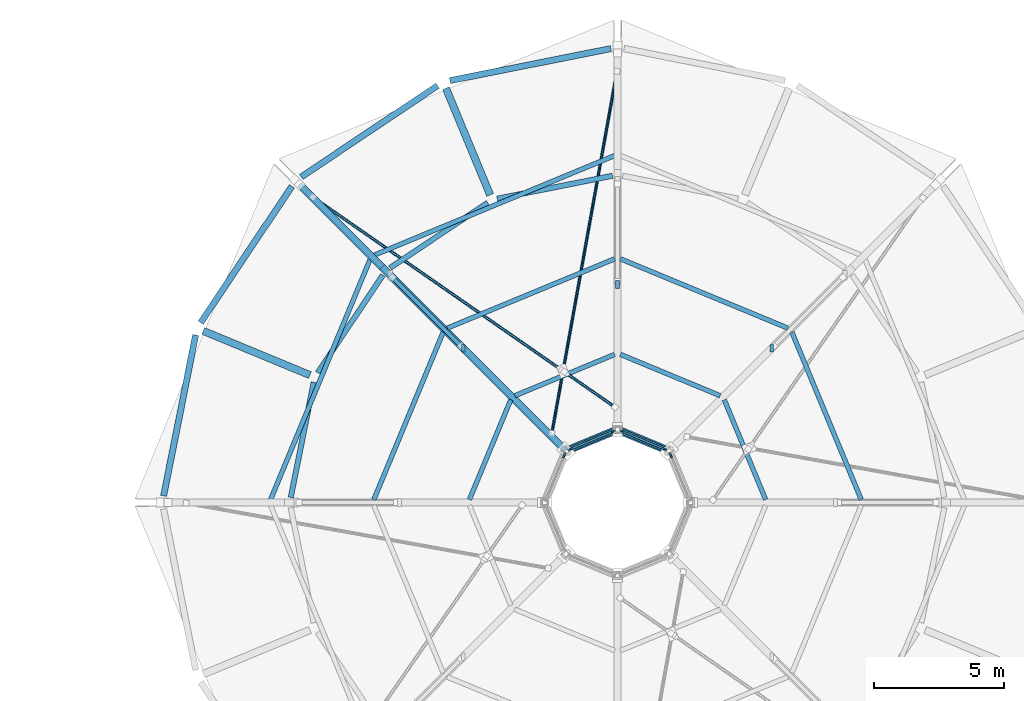
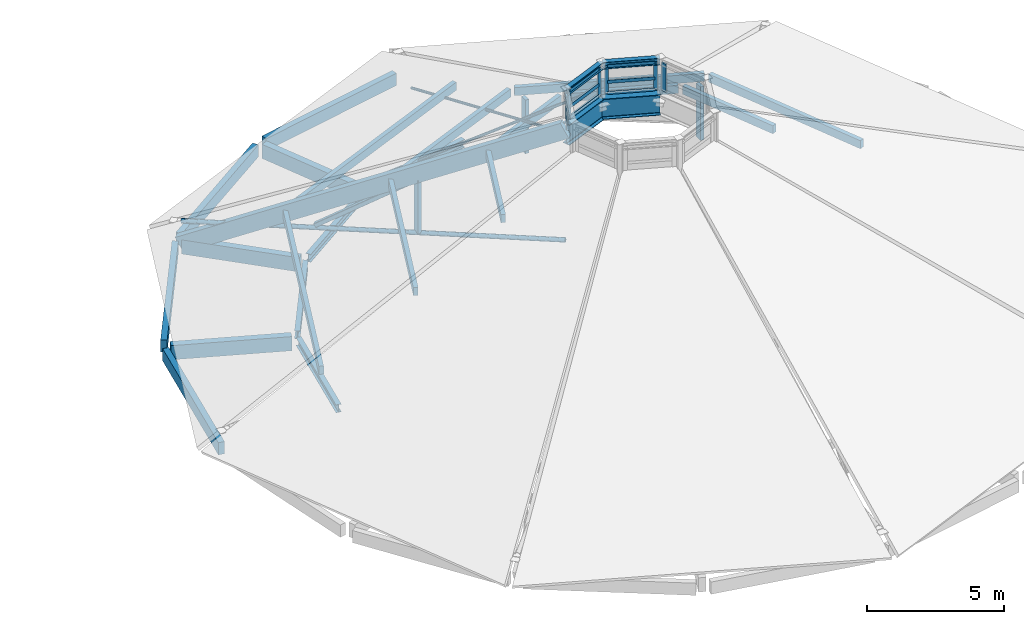
# One storey, part 37 of 66: 31 members, 15 beams, 4 elements without a shape of their own.
"""IFC4 building model written with IfcOpenShell, lengths in metres."""

import ifcopenshell
import ifcopenshell.guid

model = None  # the IFC model being written
_history = None  # IfcOwnerHistory: only IFC2X3 demands one
_inside = {}  # id of a spatial element -> (the spatial element, [elements in it])
_under = {}  # id of a project, library or spatial element -> (it, [spatial elements below it])
_declared = {}  # id of a project -> (the project, [libraries it declares])
_typed = {}  # id of a type object -> (the type object, [elements of that type])
_made_of = {}  # id of a material, layer set ... -> (it, [elements and type objects made of it])


def new_model(schema):
    """Start an empty IFC model of exactly this schema.

    Asked for "IFC4X3", IfcOpenShell would pick the latest addendum, in which some entities
    have other attributes; the version numbers below select the first issue.
    IFC2X3 requires an IfcOwnerHistory on every rooted entity: one is made here for all.
    """
    global model, _history
    if schema == "IFC4X3":
        model = ifcopenshell.file(schema_version=(4, 3, 0, 0))
    else:
        model = ifcopenshell.file(schema=schema)
    _inside.clear()
    _under.clear()
    _declared.clear()
    _typed.clear()
    _made_of.clear()
    _history = None
    if model.schema == "IFC2X3":
        org = make("IfcOrganization", Name="unknown")
        user = make(
            "IfcPersonAndOrganization",
            ThePerson=make("IfcPerson", FamilyName="unknown"),
            TheOrganization=org,
        )
        app = make(
            "IfcApplication",
            ApplicationDeveloper=org,
            Version="unknown",
            ApplicationFullName="unknown",
            ApplicationIdentifier="unknown",
        )
        _history = make(
            "IfcOwnerHistory",
            OwningUser=user,
            OwningApplication=app,
            ChangeAction="ADDED",
            CreationDate=0,
        )
    return model


def make(cls, **values):
    """One entity of the class cls with the attributes given. An attribute that is None is left unset."""
    return model.create_entity(
        cls, **{name: value for name, value in values.items() if value is not None}
    )


def rooted(cls, **values):
    """An entity with a GlobalId (a new one), such as an element, a storey or a relation."""
    return make(cls, GlobalId=ifcopenshell.guid.new(), OwnerHistory=_history, **values)


def si_unit(unit_type, name, prefix=None):
    """IfcSIUnit, for example si_unit("LENGTHUNIT", "METRE", prefix="MILLI")."""
    return make("IfcSIUnit", UnitType=unit_type, Prefix=prefix, Name=name)


def assignment(units):
    """IfcUnitAssignment: the units of a project."""
    return None if units is None else make("IfcUnitAssignment", Units=units)


def point(xyz):
    """IfcCartesianPoint."""
    return None if xyz is None else make("IfcCartesianPoint", Coordinates=xyz)


def direction(xyz):
    """IfcDirection."""
    return None if xyz is None else make("IfcDirection", DirectionRatios=xyz)


def frame(location, z_axis=None, x_axis=None):
    """IfcAxis2Placement3D, a coordinate frame: its origin and axes. An axis left out is left unset."""
    return make(
        "IfcAxis2Placement3D",
        Location=point(location),
        Axis=direction(z_axis),
        RefDirection=direction(x_axis),
    )


def frame_2d(location, x_axis=None):
    """IfcAxis2Placement2D, a coordinate frame in the plane: its origin and x axis."""
    return make(
        "IfcAxis2Placement2D", Location=point(location), RefDirection=direction(x_axis)
    )


def origin():
    """The frame at (0, 0, 0) with its axes left unset."""
    return frame((0.0, 0.0, 0.0))


def origin_2d():
    """The frame at (0, 0) in the plane with its x axis left unset."""
    return frame_2d((0.0, 0.0))


def place(relative_to, where):
    """IfcLocalPlacement: puts the frame where relative to a parent placement (None: the world)."""
    return make(
        "IfcLocalPlacement", PlacementRelTo=relative_to, RelativePlacement=where
    )


def context(
    kind, dimensions, precision=None, world=None, true_north=None, identifier=None
):
    """IfcGeometricRepresentationContext, for example the 3D "Model" context."""
    return make(
        "IfcGeometricRepresentationContext",
        ContextIdentifier=identifier,
        ContextType=kind,
        CoordinateSpaceDimension=dimensions,
        Precision=precision,
        WorldCoordinateSystem=world,
        TrueNorth=true_north,
    )


def subcontext(parent, identifier, kind, view, scale=None):
    """IfcGeometricRepresentationSubContext, for example "Body" below "Model"."""
    return make(
        "IfcGeometricRepresentationSubContext",
        ContextIdentifier=identifier,
        ContextType=kind,
        ParentContext=parent,
        TargetScale=scale,
        TargetView=view,
    )


def project(units=None, contexts=None):
    """IfcProject with its units and contexts."""
    return rooted(
        "IfcProject",
        Name="project",
        RepresentationContexts=contexts,
        UnitsInContext=assignment(units),
    )


def spatial(cls, under=None, at=None, **own):
    """A site, building, storey or space (cls), placed at a placement, below another one or the project."""
    s = rooted(cls, ObjectPlacement=at, **own)
    if under is not None:
        _under.setdefault(under.id(), (under, []))[1].append(s)
    return s


def profile(cls, at=None, kind="AREA", **sizes):
    """A parametric profile (cls). Its sizes go by their IFC names, for example OverallWidth=200.0."""
    return make(cls, ProfileType=kind, Position=at, **sizes)


def rectangle(**sizes):
    """IfcRectangleProfileDef."""
    return profile("IfcRectangleProfileDef", **sizes)


def hollow_rectangle(**sizes):
    """IfcRectangleHollowProfileDef."""
    return profile("IfcRectangleHollowProfileDef", **sizes)


def hollow_circle(**sizes):
    """IfcCircleHollowProfileDef."""
    return profile("IfcCircleHollowProfileDef", **sizes)


def i_section(**sizes):
    """IfcIShapeProfileDef."""
    return profile("IfcIShapeProfileDef", **sizes)


def extrude(swept, where, along, depth):
    """IfcExtrudedAreaSolid: the profile swept, set in the frame where, extruded along a direction by depth."""
    return make(
        "IfcExtrudedAreaSolid",
        SweptArea=swept,
        Position=where,
        ExtrudedDirection=direction(along),
        Depth=depth,
    )


def shape(context_of_items, identifier, shape_type, items):
    """IfcShapeRepresentation: the items that make up one representation, for example the "Body"."""
    return make(
        "IfcShapeRepresentation",
        ContextOfItems=context_of_items,
        RepresentationIdentifier=identifier,
        RepresentationType=shape_type,
        Items=items,
    )


def material(Name=None, Category=None):
    """IfcMaterial."""
    return make("IfcMaterial", Name=Name, Category=Category)


def layer(
    of_material, thickness, ventilated=None, Name=None, Category=None, Priority=None
):
    """IfcMaterialLayer: one layer of a wall or slab, of a material (None: an air gap)."""
    return make(
        "IfcMaterialLayer",
        Material=of_material,
        LayerThickness=thickness,
        IsVentilated=ventilated,
        Name=Name,
        Category=Category,
        Priority=Priority,
    )


def layer_set(layers, Name=None):
    """IfcMaterialLayerSet."""
    return make("IfcMaterialLayerSet", MaterialLayers=layers, LayerSetName=Name)


def material_profile(
    of_material, cross_section, Name=None, Category=None, Priority=None
):
    """IfcMaterialProfile: a cross section and its material."""
    return make(
        "IfcMaterialProfile",
        Name=Name,
        Material=of_material,
        Profile=cross_section,
        Priority=Priority,
        Category=Category,
    )


def profile_set(profiles, Name=None, composite=None):
    """IfcMaterialProfileSet."""
    return make(
        "IfcMaterialProfileSet",
        Name=Name,
        MaterialProfiles=profiles,
        CompositeProfile=composite,
    )


def made_of(thing, what):
    """Note that an element or type object is made of a material, layer set ...; save() writes the relation."""
    if what is not None:
        _made_of.setdefault(what.id(), (what, []))[1].append(thing)
    return thing


def type_object(cls, material=None, **own):
    """A type object (cls), such as IfcWallType, which elements share."""
    return made_of(rooted(cls, **own), material)


def element(
    cls,
    number,
    at=None,
    inside=None,
    cuts=None,
    type_object=None,
    material=None,
    context=None,
    identifier="Body",
    shape_type=None,
    held_by="IfcProductDefinitionShape",
    body=None,
    shapes=None,
    **own,
):
    """One element of the class cls, such as IfcWall. Its Tag is "e" and its number.

    at: its placement. inside: the storey or other place that contains it. cuts: it is an
    opening in that element (IfcRelVoidsElement). A single representation is given by context,
    identifier, shape_type and body (its items); several are given by shapes. held_by: the class
    of the entity that holds the representations. save() writes the other relations.
    """
    e = rooted(cls, Tag="e%d" % number, ObjectPlacement=at, **own)
    if body is not None:
        shapes = [shape(context, identifier, shape_type, body)]
    if shapes is not None:
        e.Representation = make(held_by, Representations=shapes)
    if inside is not None:
        _inside.setdefault(inside.id(), (inside, []))[1].append(e)
    if cuts is not None:
        rooted(
            "IfcRelVoidsElement", RelatingBuildingElement=cuts, RelatedOpeningElement=e
        )
    if type_object is not None:
        _typed.setdefault(type_object.id(), (type_object, []))[1].append(e)
    return made_of(e, material)


def aggregate(whole, parts):
    """IfcRelAggregates: a whole, such as a stair, and the parts it consists of."""
    return rooted("IfcRelAggregates", RelatingObject=whole, RelatedObjects=parts)


def save(model, path):
    """Write the relations noted so far, then the file.

    IfcRelAggregates (storeys below a building ...), IfcRelContainedInSpatialStructure (elements
    in a storey), IfcRelDefinesByType, IfcRelAssociatesMaterial and IfcRelDeclares: one each for
    every whole, place, type object, material and project.
    """
    for whole, parts in _under.values():
        aggregate(whole, parts)
    for where, things in _inside.values():
        rooted(
            "IfcRelContainedInSpatialStructure",
            RelatedElements=things,
            RelatingStructure=where,
        )
    for kind, things in _typed.values():
        rooted("IfcRelDefinesByType", RelatedObjects=things, RelatingType=kind)
    for what, things in _made_of.values():
        rooted("IfcRelAssociatesMaterial", RelatedObjects=things, RelatingMaterial=what)
    for by, libraries in _declared.values():
        rooted("IfcRelDeclares", RelatingContext=by, RelatedDefinitions=libraries)
    model.write(path)


model = new_model("IFC4")

# Units and contexts
model_context = context("Model", 3, precision=1e-05, world=origin(), true_north=direction((0.0, 1.0)))
body_context = subcontext(model_context, "Body", "Model", "MODEL_VIEW")
ifc_project = project(units=[si_unit("LENGTHUNIT", "METRE"), si_unit("AREAUNIT", "SQUARE_METRE"), si_unit("VOLUMEUNIT", "CUBIC_METRE"), si_unit("PLANEANGLEUNIT", "RADIAN"), si_unit("MASSUNIT", "GRAM", prefix="KILO")], contexts=[model_context])

# Site, building, storey
site_placement = place(None, origin())
site = spatial("IfcSite", under=ifc_project, at=site_placement, CompositionType="ELEMENT")
building_placement = place(site_placement, origin())
building = spatial("IfcBuilding", under=site, at=building_placement, Name="Caldaven Crescent School", CompositionType="ELEMENT")
storey_placement = place(building_placement, frame((0.0, 0.0, 8.159912109375)))
storey = spatial("IfcBuildingStorey", under=building, at=storey_placement, Name="L02", CompositionType="ELEMENT", Elevation=8.159912109375)

# Beams
ifc_material_1 = material(Name="Glulam MLE24h (GL28h)", Category="wood")
ifc_material_profile_1 = material_profile(ifc_material_1, rectangle(XDim=0.280029296875, YDim=0.6298828125, at=origin_2d()), Name="MLE 280x630")
ifc_profile_set_1 = profile_set([ifc_material_profile_1], Name="Glulam MLE24h (GL28h)")
beam_type_1 = type_object("IfcBeamType", Name="BM-GL63", PredefinedType="BEAM", material=ifc_profile_set_1)
beam_1_placement = place(storey_placement, frame((147.6015625, 110.32568359375, -0.534912109375), z_axis=(-0.382654507719, 0.923891512961, 0.0), x_axis=(-0.923891512961, -0.382654507719, 0.0)))
element("IfcBeam", 1, at=beam_1_placement, inside=storey, type_object=beam_type_1, Name="BM-V1-L02-0158", PredefinedType="BEAM", context=body_context, shape_type="SweptSolid", body=[
    extrude(rectangle(XDim=0.280029296875, YDim=0.6298828125, at=origin_2d()), origin(), (0.0, 0.0, 1.0), 4.43994140625),
])
beam_2_placement = place(storey_placement, frame((143.448974609375, 107.551025390625, -0.534912109375), z_axis=(-0.707106781187, 0.707106781187, 0.0), x_axis=(-0.707106781187, -0.707106781187, 0.0)))
element("IfcBeam", 2, at=beam_2_placement, inside=storey, type_object=beam_type_1, Name="BM-V1-L02-0161", PredefinedType="BEAM", context=body_context, shape_type="SweptSolid", body=[
    extrude(rectangle(XDim=0.280029296875, YDim=0.6298828125, at=origin_2d()), origin(), (0.0, 0.0, 1.0), 4.439697265625),
])
beam_3_placement = place(storey_placement, frame((140.67431640625, 103.3984375, -0.534912109375), z_axis=(-0.923891512961, 0.382654507719, 0.0), x_axis=(-0.382654507719, -0.923891512961, 0.0)))
element("IfcBeam", 3, at=beam_3_placement, inside=storey, type_object=beam_type_1, Name="BM-V1-L02-0164", PredefinedType="BEAM", context=body_context, shape_type="SweptSolid", body=[
    extrude(rectangle(XDim=0.280029296875, YDim=0.6298828125, at=origin_2d()), origin(), (0.0, 0.0, 1.0), 4.43994140625),
])
ifc_material_2 = material(Name="Steel ASTM A572 Grade 50", Category="steel")
ifc_material_profile_2 = material_profile(ifc_material_2, i_section(OverallWidth=0.202880859375, OverallDepth=0.302978515625, WebThickness=0.007568359375, FlangeThickness=0.01318359375, FilletRadius=0.012939453125, at=origin_2d()), Name="W310x60")
ifc_profile_set_2 = profile_set([ifc_material_profile_2], Name="Steel ASTM A572 Grade 50")
beam_type_2 = type_object("IfcBeamType", Name="BM-W31", PredefinedType="BEAM", material=ifc_profile_set_2)
for number, where, z_axis, x_axis, name in (
    (4, (154.46142578125, 100.487548828125, 8.898681640625), (-0.923892319077, 0.382652561407, 0.0), (-0.382652561407, -0.923892319077, 0.0), "LRNG-V1-L02-0194"),
    (5, (152.4814453125, 101.292236328125, 8.898681640625), (-0.923892319077, -0.382652561407, 0.0), (0.382652561407, -0.923892319077, 0.0), "LRNG-V1-L02-0196"),
):
    element("IfcBeam", number, at=place(storey_placement, frame(where, z_axis=z_axis, x_axis=x_axis)), inside=storey, type_object=beam_type_2, Name=name, PredefinedType="BEAM", context=body_context, shape_type="SweptSolid", body=[
        extrude(i_section(OverallWidth=0.202880859375, OverallDepth=0.302978515625, WebThickness=0.007568359375, FlangeThickness=0.01318359375, FilletRadius=0.012939453125, at=origin_2d()), origin(), (0.0, 0.0, 1.0), 2.10302734375),
    ])
ifc_material_profile_3 = material_profile(ifc_material_2, i_section(OverallWidth=0.205078125, OverallDepth=0.35400390625, WebThickness=0.009521484375, FlangeThickness=0.016845703125, FilletRadius=0.014892578125, at=origin_2d()), Name="W360x79")
ifc_profile_set_3 = profile_set([ifc_material_profile_3], Name="Steel ASTM A572 Grade 50")
beam_type_3 = type_object("IfcBeamType", Name="BM-W36", PredefinedType="BEAM", material=ifc_profile_set_3)
beam_4_placement = place(storey_placement, frame((152.303955078125, 111.06103515625, -0.39697265625), z_axis=(-0.980785962977, -0.195086890453, 0.0), x_axis=(0.195086890453, -0.980785962977, 0.0)))
element("IfcBeam", 6, at=beam_4_placement, inside=storey, type_object=beam_type_3, Name="BM-V1-L02-0156", PredefinedType="BEAM", context=body_context, shape_type="SweptSolid", body=[
    extrude(i_section(OverallWidth=0.205078125, OverallDepth=0.35400390625, WebThickness=0.009521484375, FlangeThickness=0.016845703125, FilletRadius=0.014892578125, at=origin_2d()), origin(), (0.0, 0.0, 1.0), 4.516357421875),
])
for number, where, z_axis, x_axis, name in (
    (7, (147.511962890625, 110.02978515625, -0.39697265625), (-0.831475995794, -0.55556067933, 0.0), (0.55556067933, -0.831475995794, 0.0), "BM-V1-L02-0159"),
    (8, (143.479248046875, 107.2431640625, -0.39697265625), (-0.55556067933, -0.831475995794, 0.0), (0.831475995794, -0.55556067933, 0.0), "BM-V1-L02-0162"),
):
    element("IfcBeam", number, at=place(storey_placement, frame(where, z_axis=z_axis, x_axis=x_axis)), inside=storey, type_object=beam_type_3, Name=name, PredefinedType="BEAM", context=body_context, shape_type="SweptSolid", body=[
        extrude(i_section(OverallWidth=0.205078125, OverallDepth=0.35400390625, WebThickness=0.009521484375, FlangeThickness=0.016845703125, FilletRadius=0.014892578125, at=origin_2d()), origin(), (0.0, 0.0, 1.0), 4.51611328125),
    ])
beam_5_placement = place(storey_placement, frame((140.820068359375, 103.125732421875, -0.39697265625), z_axis=(-0.195086890453, -0.980785962977, 0.0), x_axis=(0.980785962977, -0.195086890453, 0.0)))
element("IfcBeam", 9, at=beam_5_placement, inside=storey, type_object=beam_type_3, Name="BM-V1-L02-0165", PredefinedType="BEAM", context=body_context, shape_type="SweptSolid", body=[
    extrude(i_section(OverallWidth=0.205078125, OverallDepth=0.35400390625, WebThickness=0.009521484375, FlangeThickness=0.016845703125, FilletRadius=0.014892578125, at=origin_2d()), origin(), (0.0, 0.0, 1.0), 4.516357421875),
])
ifc_material_profile_4 = material_profile(ifc_material_2, i_section(OverallWidth=0.303955078125, OverallDepth=0.910888671875, WebThickness=0.015869140625, FlangeThickness=0.02392578125, FilletRadius=0.02197265625, at=origin_2d()), Name="W920x223")
ifc_profile_set_4 = profile_set([ifc_material_profile_4], Name="Steel ASTM A572 Grade 50")
beam_type_4 = type_object("IfcBeamType", Name="BM-W92", PredefinedType="BEAM", material=ifc_profile_set_4)
for number, where, z_axis, x_axis, name in (
    (10, (154.470703125, 100.483642578125, 7.004638671875), (-0.923871065891, 0.382703871955, 0.0), (-0.382703871955, -0.923871065891, 0.0), "RING-V1-L02-0193"),
    (11, (152.49072265625, 101.296142578125, 7.004638671875), (-0.923871065891, -0.382703871955, 0.0), (0.382703871955, -0.923871065891, 0.0), "RING-V1-L02-0195"),
):
    element("IfcBeam", number, at=place(storey_placement, frame(where, z_axis=z_axis, x_axis=x_axis)), inside=storey, type_object=beam_type_4, Name=name, PredefinedType="BEAM", context=body_context, shape_type="SweptSolid", body=[
        extrude(i_section(OverallWidth=0.303955078125, OverallDepth=0.910888671875, WebThickness=0.015869140625, FlangeThickness=0.02392578125, FilletRadius=0.02197265625, at=origin_2d()), origin(), (0.0, 0.0, 1.0), 2.123046875),
    ])

# Members
ifc_material_profile_5 = material_profile(ifc_material_2, hollow_circle(Radius=0.05712890625, WallThickness=0.008056640625, at=origin_2d()), Name="CHS 114.3x8.0")
ifc_profile_set_5 = profile_set([ifc_material_profile_5], Name="Steel ASTM A572 Grade 50")
member_type_1 = type_object("IfcMemberType", Name="BR-CH11", PredefinedType="BRACE", material=ifc_profile_set_5)
member_1_placement = place(storey_placement, frame((152.478271484375, 115.07861328125, -0.49365234375), z_axis=(-0.155865769195, -0.866661130006, 0.47392441141), x_axis=(0.984209693291, -0.177006439522, 0.0)))
element("IfcMember", 12, at=member_1_placement, inside=storey, type_object=member_type_1, Name="RBR-V1-02-X1", PredefinedType="BRACE", context=body_context, shape_type="SweptSolid", body=[
    extrude(hollow_circle(Radius=0.05712890625, WallThickness=0.008056640625, at=origin_2d()), origin(), (0.0, 0.0, 1.0), 16.052001953125),
])
member_2_placement = place(storey_placement, frame((140.79248046875, 110.23828125, -0.49365234375), z_axis=(0.723041750878, -0.502608493528, 0.473914896075), x_axis=(0.570775886066, 0.821105893223, 0.0)))
element("IfcMember", 13, at=member_2_placement, inside=storey, type_object=member_type_1, Name="RBR-V1-02-X2A", PredefinedType="BRACE", context=body_context, shape_type="SweptSolid", body=[
    extrude(hollow_circle(Radius=0.05712890625, WallThickness=0.008056640625, at=origin_2d()), origin(), (0.0, 0.0, 1.0), 13.230712890625),
])
member_3_placement = place(storey_placement, frame((150.452880859375, 103.52294921875, 5.83837890625), z_axis=(0.723045120954, -0.50259347178, 0.473925685303), x_axis=(0.570762590739, 0.821115135053, 0.0)))
element("IfcMember", 14, at=member_3_placement, inside=storey, type_object=member_type_1, Name="RBR-V1-02-X2B", PredefinedType="BRACE", context=body_context, shape_type="SweptSolid", body=[
    extrude(hollow_circle(Radius=0.05712890625, WallThickness=0.008056640625, at=origin_2d()), origin(), (0.0, 0.0, 1.0), 2.691162109375),
])
ifc_material_profile_6 = material_profile(ifc_material_2, hollow_circle(Radius=0.096923828125, WallThickness=0.012451171875, at=origin_2d()), Name="CHS 193.7x12.5")
ifc_profile_set_6 = profile_set([ifc_material_profile_6], Name="Steel ASTM A572 Grade 50")
member_type_2 = type_object("IfcMemberType", Name="BR-CH19", PredefinedType="BRACE", material=ifc_profile_set_6)
member_4_placement = place(storey_placement, frame((140.280029296875, 110.719970703125, 0.52685546875), z_axis=(0.70186507673, -0.70186507673, 0.121535295839), x_axis=(0.707106781187, 0.707106781187, 0.0)))
element("IfcMember", 15, at=member_4_placement, inside=storey, type_object=member_type_2, Name="TT-V1-03", PredefinedType="BRACE", context=body_context, shape_type="SweptSolid", body=[
    extrude(hollow_circle(Radius=0.096923828125, WallThickness=0.012451171875, at=origin_2d()), origin(), (0.0, 0.0, 1.0), 14.56982421875),
])
ifc_material_profile_7 = material_profile(ifc_material_1, rectangle(XDim=0.280029296875, YDim=0.68994140625, at=origin_2d()), Name="MLE 280x690")
ifc_profile_set_7 = profile_set([ifc_material_profile_7], Name="Glulam MLE24h (GL28h)")
member_type_3 = type_object("IfcMemberType", Name="CH-GL69", PredefinedType="CHORD", material=ifc_profile_set_7)
member_5_placement = place(storey_placement, frame((140.25048828125, 110.74951171875, -0.466064453125), z_axis=(0.624624322492, -0.624624322492, 0.468709837215), x_axis=(0.707106781187, 0.707106781187, 0.0)))
element("IfcMember", 16, at=member_5_placement, inside=storey, type_object=member_type_3, Name="TC-V1-03", PredefinedType="CHORD", context=body_context, shape_type="SweptSolid", body=[
    extrude(rectangle(XDim=0.280029296875, YDim=0.68994140625, at=origin_2d()), origin(), (0.0, 0.0, 1.0), 16.421142578125),
])

# Curtain wall, members
ifc_material_3 = material(Name="Anodised aluminium AA 6063-T6 and low-E double glazing", Category="aluminium")
ifc_layer_1 = layer(ifc_material_3, 0.22998046875)
ifc_layer_set_1 = layer_set([ifc_layer_1], Name="Anodised aluminium AA 6063-T6 and low-E double glazing")
curtain_wall_type_1 = type_object("IfcCurtainWallType", Name="CW-SYS4", PredefinedType="NOTDEFINED", material=ifc_layer_set_1)
curtain_wall_1_placement = place(storey_placement, origin())
curtain_wall_1 = element("IfcCurtainWall", 17, at=curtain_wall_1_placement, inside=storey, type_object=curtain_wall_type_1, Name="CW-L02-034", PredefinedType="NOTDEFINED")
ifc_material_4 = material(Name="Anodised aluminium AA 6063-T6", Category="aluminium")
ifc_material_profile_8 = material_profile(ifc_material_4, rectangle(XDim=0.06005859375, YDim=0.14990234375, at=origin_2d()), Name="CWM 60x150")
ifc_profile_set_8 = profile_set([ifc_material_profile_8], Name="Anodised aluminium AA 6063-T6")
member_type_4 = type_object("IfcMemberType", Name="CWM-T1", PredefinedType="MULLION", material=ifc_profile_set_8)
member_6_placement = place(storey_placement, frame((154.32275390625, 100.544921875, 7.60009765625), z_axis=(0.0, 0.0, 1.0), x_axis=(-0.382682210093, -0.923880038792, 0.0)))
member_6 = element("IfcMember", 18, at=member_6_placement, type_object=member_type_4, Name="CW4 mullion 1", PredefinedType="MULLION", context=body_context, shape_type="SweptSolid", body=[
    extrude(rectangle(XDim=0.06005859375, YDim=0.14990234375, at=origin_2d()), origin(), (0.0, 0.0, 1.0), 1.25),
])
member_7_placement = place(storey_placement, frame((152.656982421875, 101.23486328125, 7.60009765625), z_axis=(0.0, 0.0, 1.0), x_axis=(-0.382682210093, -0.923880038792, 0.0)))
member_7 = element("IfcMember", 19, at=member_7_placement, type_object=member_type_4, Name="CW4 mullion 2", PredefinedType="MULLION", context=body_context, shape_type="SweptSolid", body=[
    extrude(rectangle(XDim=0.06005859375, YDim=0.14990234375, at=origin_2d()), origin(), (0.0, 0.0, 1.0), 1.25),
])

ifc_layer_2 = layer(ifc_material_3, 0.169921875)
ifc_layer_set_2 = layer_set([ifc_layer_2], Name="Anodised aluminium AA 6063-T6 and low-E double glazing")
curtain_wall_type_2 = type_object("IfcCurtainWallType", Name="CW-SYS1", PredefinedType="NOTDEFINED", material=ifc_layer_set_2)
curtain_wall_2_placement = place(storey_placement, origin())
curtain_wall_2 = element("IfcCurtainWall", 20, at=curtain_wall_2_placement, inside=storey, type_object=curtain_wall_type_2, Name="CW-L02-035", PredefinedType="NOTDEFINED")
ifc_material_profile_9 = material_profile(ifc_material_4, rectangle(XDim=0.06494140625, YDim=0.179931640625, at=origin_2d()), Name="CWM 65x180")
ifc_profile_set_9 = profile_set([ifc_material_profile_9], Name="Anodised aluminium AA 6063-T6")
member_type_5 = type_object("IfcMemberType", Name="CWM-T2", PredefinedType="MULLION", material=ifc_profile_set_9)
member_8_placement = place(storey_placement, frame((152.340576171875, 101.23388671875, 7.60009765625), z_axis=(0.0, 0.0, 1.0), x_axis=(0.382682210093, -0.923880038792, 0.0)))
member_8 = element("IfcMember", 21, at=member_8_placement, type_object=member_type_5, Name="CW1 mullion 1", PredefinedType="MULLION", context=body_context, shape_type="SweptSolid", body=[
    extrude(rectangle(XDim=0.06494140625, YDim=0.179931640625, at=origin_2d()), origin(), (0.0, 0.0, 1.0), 1.25),
])
member_9_placement = place(storey_placement, frame((150.679443359375, 100.5458984375, 7.60009765625), z_axis=(0.0, 0.0, 1.0), x_axis=(0.382682210093, -0.923880038792, 0.0)))
member_9 = element("IfcMember", 22, at=member_9_placement, type_object=member_type_5, Name="CW1 mullion 2", PredefinedType="MULLION", context=body_context, shape_type="SweptSolid", body=[
    extrude(rectangle(XDim=0.06494140625, YDim=0.179931640625, at=origin_2d()), origin(), (0.0, 0.0, 1.0), 1.25),
])

# Curtain wall, member
ifc_layer_3 = layer(ifc_material_3, 0.2099609375)
ifc_layer_set_3 = layer_set([ifc_layer_3], Name="Anodised aluminium AA 6063-T6 and low-E double glazing")
curtain_wall_type_3 = type_object("IfcCurtainWallType", Name="CW-SYS3", PredefinedType="NOTDEFINED", material=ifc_layer_set_3)
curtain_wall_3_placement = place(storey_placement, origin())
curtain_wall_3 = element("IfcCurtainWall", 23, at=curtain_wall_3_placement, inside=storey, type_object=curtain_wall_type_3, Name="CW-L02-033", PredefinedType="NOTDEFINED")
ifc_material_profile_10 = material_profile(ifc_material_4, rectangle(XDim=0.070068359375, YDim=0.2099609375, at=origin_2d()), Name="CWM 70x210")
ifc_profile_set_10 = profile_set([ifc_material_profile_10], Name="Anodised aluminium AA 6063-T6")
member_type_6 = type_object("IfcMemberType", Name="CWM-T3", PredefinedType="MULLION", material=ifc_profile_set_10)
member_10_placement = place(storey_placement, frame((154.546875, 100.318115234375, 7.60009765625), z_axis=(0.0, 0.0, 1.0), x_axis=(-0.923880038792, -0.382682210093, 0.0)))
member_10 = element("IfcMember", 24, at=member_10_placement, type_object=member_type_6, Name="CW3 mullion 2", PredefinedType="MULLION", context=body_context, shape_type="SweptSolid", body=[
    extrude(rectangle(XDim=0.070068359375, YDim=0.2099609375, at=origin_2d()), origin(), (0.0, 0.0, 1.0), 1.25),
])
aggregate(curtain_wall_3, [member_10])

ifc_layer_4 = layer(ifc_material_3, 0.18994140625)
ifc_layer_set_4 = layer_set([ifc_layer_4], Name="Anodised aluminium AA 6063-T6 and low-E double glazing")
curtain_wall_type_4 = type_object("IfcCurtainWallType", Name="CW-SYS2", PredefinedType="NOTDEFINED", material=ifc_layer_set_4)
curtain_wall_4_placement = place(storey_placement, origin())
curtain_wall_4 = element("IfcCurtainWall", 25, at=curtain_wall_4_placement, inside=storey, type_object=curtain_wall_type_4, Name="CW-L02-036", PredefinedType="NOTDEFINED")
member_11_placement = place(storey_placement, frame((150.453125, 100.318115234375, 7.60009765625), z_axis=(0.0, 0.0, 1.0), x_axis=(0.923880038792, -0.382682210093, 0.0)))
member_11 = element("IfcMember", 26, at=member_11_placement, type_object=member_type_6, Name="CW2 mullion 1", PredefinedType="MULLION", context=body_context, shape_type="SweptSolid", body=[
    extrude(rectangle(XDim=0.070068359375, YDim=0.2099609375, at=origin_2d()), origin(), (0.0, 0.0, 1.0), 1.25),
])
aggregate(curtain_wall_4, [member_11])

# Member
ifc_material_profile_11 = material_profile(ifc_material_4, rectangle(XDim=0.06494140625, YDim=0.139892578125, at=origin_2d()), Name="CWT 65x140")
ifc_profile_set_11 = profile_set([ifc_material_profile_11], Name="Anodised aluminium AA 6063-T6")
member_type_7 = type_object("IfcMemberType", Name="CWT-T2", PredefinedType="USERDEFINED", material=ifc_profile_set_11)
member_12_placement = place(storey_placement, frame((154.295166015625, 100.556396484375, 7.632568359375), z_axis=(-0.923887092146, 0.382665181283, 0.0), x_axis=(-0.382665181283, -0.923887092146, 0.0)))
member_12 = element("IfcMember", 27, at=member_12_placement, type_object=member_type_7, Name="CW4 transom 1.1", ObjectType="TRANSOM", PredefinedType="USERDEFINED", context=body_context, shape_type="SweptSolid", body=[
    extrude(rectangle(XDim=0.06494140625, YDim=0.139892578125, at=origin_2d()), origin(), (0.0, 0.0, 1.0), 1.742919921875),
])

member_13_placement = place(storey_placement, frame((154.295166015625, 100.556396484375, 8.125), z_axis=(-0.923887092146, 0.382665181283, 0.0), x_axis=(-0.382665181283, -0.923887092146, 0.0)))
member_13 = element("IfcMember", 28, at=member_13_placement, type_object=member_type_7, Name="CW4 transom 1.2", ObjectType="TRANSOM", PredefinedType="USERDEFINED", context=body_context, shape_type="SweptSolid", body=[
    extrude(rectangle(XDim=0.06494140625, YDim=0.139892578125, at=origin_2d()), origin(), (0.0, 0.0, 1.0), 1.742919921875),
])

member_14_placement = place(storey_placement, frame((154.295166015625, 100.556396484375, 8.817626953125), z_axis=(-0.923887092146, 0.382665181283, 0.0), x_axis=(-0.382665181283, -0.923887092146, 0.0)))
member_14 = element("IfcMember", 29, at=member_14_placement, type_object=member_type_7, Name="CW4 transom 1.3", ObjectType="TRANSOM", PredefinedType="USERDEFINED", context=body_context, shape_type="SweptSolid", body=[
    extrude(rectangle(XDim=0.06494140625, YDim=0.139892578125, at=origin_2d()), origin(), (0.0, 0.0, 1.0), 1.742919921875),
])

aggregate(curtain_wall_1, [member_6, member_7, member_12, member_13, member_14])

ifc_material_profile_12 = material_profile(ifc_material_4, rectangle(XDim=0.070068359375, YDim=0.159912109375, at=origin_2d()), Name="CWT 70x160")
ifc_profile_set_12 = profile_set([ifc_material_profile_12], Name="Anodised aluminium AA 6063-T6")
member_type_8 = type_object("IfcMemberType", Name="CWT-T3", PredefinedType="USERDEFINED", material=ifc_profile_set_12)
member_15_placement = place(storey_placement, frame((152.310546875, 101.221435546875, 7.635009765625), z_axis=(-0.923900079523, -0.382633823724, 0.0), x_axis=(0.382633823724, -0.923900079523, 0.0)))
member_15 = element("IfcMember", 30, at=member_15_placement, type_object=member_type_8, Name="CW1 transom 1.1", ObjectType="TRANSOM", PredefinedType="USERDEFINED", context=body_context, shape_type="SweptSolid", body=[
    extrude(rectangle(XDim=0.070068359375, YDim=0.159912109375, at=origin_2d()), origin(), (0.0, 0.0, 1.0), 1.73291015625),
])

member_16_placement = place(storey_placement, frame((152.310546875, 101.221435546875, 8.125), z_axis=(-0.923900079523, -0.382633823724, 0.0), x_axis=(0.382633823724, -0.923900079523, 0.0)))
member_16 = element("IfcMember", 31, at=member_16_placement, type_object=member_type_8, Name="CW1 transom 1.2", ObjectType="TRANSOM", PredefinedType="USERDEFINED", context=body_context, shape_type="SweptSolid", body=[
    extrude(rectangle(XDim=0.070068359375, YDim=0.159912109375, at=origin_2d()), origin(), (0.0, 0.0, 1.0), 1.73291015625),
])

member_17_placement = place(storey_placement, frame((152.310546875, 101.221435546875, 8.815185546875), z_axis=(-0.923900079523, -0.382633823724, 0.0), x_axis=(0.382633823724, -0.923900079523, 0.0)))
member_17 = element("IfcMember", 32, at=member_17_placement, type_object=member_type_8, Name="CW1 transom 1.3", ObjectType="TRANSOM", PredefinedType="USERDEFINED", context=body_context, shape_type="SweptSolid", body=[
    extrude(rectangle(XDim=0.070068359375, YDim=0.159912109375, at=origin_2d()), origin(), (0.0, 0.0, 1.0), 1.73291015625),
])

aggregate(curtain_wall_2, [member_8, member_9, member_15, member_16, member_17])

# Members
ifc_material_profile_13 = material_profile(ifc_material_1, rectangle(XDim=0.179931640625, YDim=0.360107421875, at=origin_2d()), Name="MLE 180x360")
ifc_profile_set_13 = profile_set([ifc_material_profile_13], Name="Glulam MLE24h (GL28h)")
member_type_9 = type_object("IfcMemberType", Name="PR-GL36", PredefinedType="PURLIN", material=ifc_profile_set_13)
member_18_placement = place(storey_placement, frame((161.869140625, 98.61083984375, 3.72998046875), z_axis=(-0.382680927973, 0.92388056986, 0.0), x_axis=(-0.92388056986, -0.382680927973, 0.0)))
element("IfcMember", 33, at=member_18_placement, inside=storey, type_object=member_type_9, Name="PUR-V1-00-1", PredefinedType="PURLIN", context=body_context, shape_type="SweptSolid", body=[
    extrude(rectangle(XDim=0.179931640625, YDim=0.360107421875, at=origin_2d()), origin(), (0.0, 0.0, 1.0), 6.966064453125),
])
member_19_placement = place(storey_placement, frame((158.194091796875, 98.61083984375, 5.68017578125), z_axis=(-0.382673670509, 0.923883575944, 0.0), x_axis=(-0.923883575944, -0.382673670509, 0.0)))
element("IfcMember", 34, at=member_19_placement, inside=storey, type_object=member_type_9, Name="PUR-V1-00-2", PredefinedType="PURLIN", context=body_context, shape_type="SweptSolid", body=[
    extrude(rectangle(XDim=0.179931640625, YDim=0.360107421875, at=origin_2d()), origin(), (0.0, 0.0, 1.0), 4.1533203125),
])
member_20_placement = place(storey_placement, frame((159.046630859375, 105.203369140625, 3.72998046875), z_axis=(-0.92388056986, 0.382680927973, 0.0), x_axis=(-0.382680927973, -0.92388056986, 0.0)))
element("IfcMember", 35, at=member_20_placement, inside=storey, type_object=member_type_9, Name="PUR-V1-01-1", PredefinedType="PURLIN", context=body_context, shape_type="SweptSolid", body=[
    extrude(rectangle(XDim=0.179931640625, YDim=0.360107421875, at=origin_2d()), origin(), (0.0, 0.0, 1.0), 6.966064453125),
])
member_21_placement = place(storey_placement, frame((156.447998046875, 102.604736328125, 5.68017578125), z_axis=(-0.923883575944, 0.382673670509, 0.0), x_axis=(-0.382673670509, -0.923883575944, 0.0)))
element("IfcMember", 36, at=member_21_placement, inside=storey, type_object=member_type_9, Name="PUR-V1-01-2", PredefinedType="PURLIN", context=body_context, shape_type="SweptSolid", body=[
    extrude(rectangle(XDim=0.179931640625, YDim=0.360107421875, at=origin_2d()), origin(), (0.0, 0.0, 1.0), 4.1533203125),
])
member_22_placement = place(storey_placement, frame((152.38916015625, 111.838134765625, 1.6240234375), z_axis=(-0.923874947428, -0.382694501548, 0.0), x_axis=(0.382694501548, -0.923874947428, 0.0)))
element("IfcMember", 37, at=member_22_placement, inside=storey, type_object=member_type_9, Name="PUR-V1-02-0", PredefinedType="PURLIN", context=body_context, shape_type="SweptSolid", body=[
    extrude(rectangle(XDim=0.179931640625, YDim=0.360107421875, at=origin_2d()), origin(), (0.0, 0.0, 1.0), 10.003662109375),
])
member_23_placement = place(storey_placement, frame((152.38916015625, 107.869140625, 3.72998046875), z_axis=(-0.92388056986, -0.382680927973, 0.0), x_axis=(0.382680927973, -0.92388056986, 0.0)))
element("IfcMember", 38, at=member_23_placement, inside=storey, type_object=member_type_9, Name="PUR-V1-02-1", PredefinedType="PURLIN", context=body_context, shape_type="SweptSolid", body=[
    extrude(rectangle(XDim=0.179931640625, YDim=0.360107421875, at=origin_2d()), origin(), (0.0, 0.0, 1.0), 6.966064453125),
])
member_24_placement = place(storey_placement, frame((152.38916015625, 104.194091796875, 5.68017578125), z_axis=(-0.923883575944, -0.382673670509, 0.0), x_axis=(0.382673670509, -0.923883575944, 0.0)))
element("IfcMember", 39, at=member_24_placement, inside=storey, type_object=member_type_9, Name="PUR-V1-02-2", PredefinedType="PURLIN", context=body_context, shape_type="SweptSolid", body=[
    extrude(rectangle(XDim=0.179931640625, YDim=0.360107421875, at=origin_2d()), origin(), (0.0, 0.0, 1.0), 4.1533203125),
])
member_25_placement = place(storey_placement, frame((142.990234375, 107.85302734375, 1.6240234375), z_axis=(-0.382694501548, -0.923874947428, 0.0), x_axis=(0.923874947428, -0.382694501548, 0.0)))
element("IfcMember", 40, at=member_25_placement, inside=storey, type_object=member_type_9, Name="PUR-V1-03-0", PredefinedType="PURLIN", context=body_context, shape_type="SweptSolid", body=[
    extrude(rectangle(XDim=0.179931640625, YDim=0.360107421875, at=origin_2d()), origin(), (0.0, 0.0, 1.0), 10.003662109375),
])
member_26_placement = place(storey_placement, frame((145.796630859375, 105.046630859375, 3.72998046875), z_axis=(-0.382680927973, -0.92388056986, 0.0), x_axis=(0.92388056986, -0.382680927973, 0.0)))
element("IfcMember", 41, at=member_26_placement, inside=storey, type_object=member_type_9, Name="PUR-V1-03-1", PredefinedType="PURLIN", context=body_context, shape_type="SweptSolid", body=[
    extrude(rectangle(XDim=0.179931640625, YDim=0.360107421875, at=origin_2d()), origin(), (0.0, 0.0, 1.0), 6.966064453125),
])
member_27_placement = place(storey_placement, frame((148.395263671875, 102.447998046875, 5.68017578125), z_axis=(-0.382673670509, -0.923883575944, 0.0), x_axis=(0.923883575944, -0.382673670509, 0.0)))
element("IfcMember", 42, at=member_27_placement, inside=storey, type_object=member_type_9, Name="PUR-V1-03-2", PredefinedType="PURLIN", context=body_context, shape_type="SweptSolid", body=[
    extrude(rectangle(XDim=0.179931640625, YDim=0.360107421875, at=origin_2d()), origin(), (0.0, 0.0, 1.0), 4.1533203125),
])

# Beams
ifc_material_profile_14 = material_profile(ifc_material_1, rectangle(XDim=0.239990234375, YDim=0.5400390625, at=origin_2d()), Name="MLE 240x540")
ifc_profile_set_14 = profile_set([ifc_material_profile_14], Name="Glulam MLE24h (GL28h)")
beam_type_5 = type_object("IfcBeamType", Name="SP-GL54", PredefinedType="SPANDREL", material=ifc_profile_set_14)
for number, where, z_axis, x_axis, name in (
    (43, (152.2451171875, 115.94921875, -0.489990234375), (-0.980784074908, -0.195096382354, 0.0), (0.195096382354, -0.980784074908, 0.0), "BM-V1-L02-0157"),
    (44, (145.5869140625, 114.5234375, -0.489990234375), (-0.831472291432, -0.555566223399, 0.0), (0.555566223399, -0.831472291432, 0.0), "BM-V1-L02-0160"),
    (45, (139.981201171875, 110.658203125, -0.489990234375), (-0.555566223399, -0.831472291432, 0.0), (0.831472291432, -0.555566223399, 0.0), "BM-V1-L02-0163"),
    (46, (136.281494140625, 104.94189453125, -0.489990234375), (-0.195096382354, -0.980784074908, 0.0), (0.980784074908, -0.195096382354, 0.0), "BM-V1-L02-0166"),
):
    element("IfcBeam", number, at=place(storey_placement, frame(where, z_axis=z_axis, x_axis=x_axis)), inside=storey, type_object=beam_type_5, Name=name, PredefinedType="SPANDREL", context=body_context, shape_type="SweptSolid", body=[
        extrude(rectangle(XDim=0.239990234375, YDim=0.5400390625, at=origin_2d()), origin(), (0.0, 0.0, 1.0), 6.308349609375),
    ])

# Members
ifc_material_profile_15 = material_profile(ifc_material_1, rectangle(XDim=0.14990234375, YDim=0.300048828125, at=origin_2d()), Name="MLE 150x300")
ifc_profile_set_15 = profile_set([ifc_material_profile_15], Name="Glulam MLE24h (GL28h)")
member_type_10 = type_object("IfcMemberType", Name="ST-GL30", PredefinedType="STRUT", material=ifc_profile_set_15)
for number, where, z_axis, x_axis, name in (
    (47, (158.4296875, 104.4296875, 1.656005859375), (0.0, 0.0, 1.0), (1.0, 0.0, 0.0), "WS-V1-01-1"),
    (48, (152.5, 106.885986328125, 1.656005859375), (0.0, 0.0, 1.0), (1.0, 0.0, 0.0), "WS-V1-02-1"),
    (49, (146.5703125, 104.4296875, 1.656005859375), (0.0, 0.0, 1.0), (1.0, 0.0, 0.0), "WS-V1-03-1"),
):
    element("IfcMember", number, at=place(storey_placement, frame(where, z_axis=z_axis, x_axis=x_axis)), inside=storey, type_object=member_type_10, Name=name, PredefinedType="STRUT", context=body_context, shape_type="SweptSolid", body=[
        extrude(rectangle(XDim=0.14990234375, YDim=0.300048828125, at=origin_2d()), origin(), (0.0, 0.0, 1.0), 2.380126953125),
    ])
ifc_material_profile_16 = material_profile(ifc_material_2, hollow_rectangle(XDim=0.179931640625, YDim=0.179931640625, WallThickness=0.010009765625, InnerFilletRadius=0.010009765625, OuterFilletRadius=0.02001953125, at=origin_2d()), Name="HSS 180x180x10")
ifc_profile_set_16 = profile_set([ifc_material_profile_16], Name="Steel ASTM A572 Grade 50")
member_type_11 = type_object("IfcMemberType", Name="ST-HS18", PredefinedType="STRUT", material=ifc_profile_set_16)
member_28_placement = place(storey_placement, frame((143.84423828125, 107.15576171875, 1.271240234375), z_axis=(0.576018141486, -0.576018141486, 0.580005345973), x_axis=(0.707106781187, 0.707106781187, 0.0)))
element("IfcMember", 50, at=member_28_placement, inside=storey, type_object=member_type_11, Name="WB-V1-03", PredefinedType="STRUT", context=body_context, shape_type="SweptSolid", body=[
    extrude(hollow_rectangle(XDim=0.179931640625, YDim=0.179931640625, WallThickness=0.010009765625, InnerFilletRadius=0.010009765625, OuterFilletRadius=0.02001953125, at=origin_2d()), origin(), (0.0, 0.0, 1.0), 4.59228515625),
])

save(model, "model.ifc")
